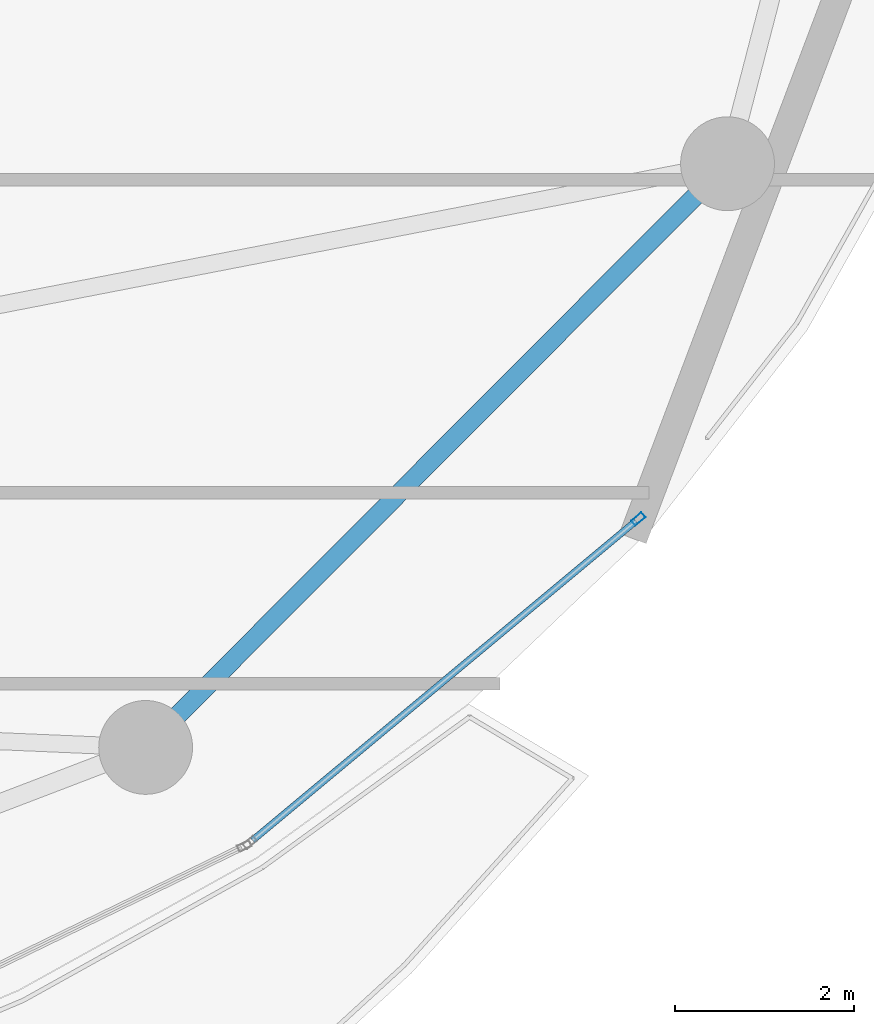
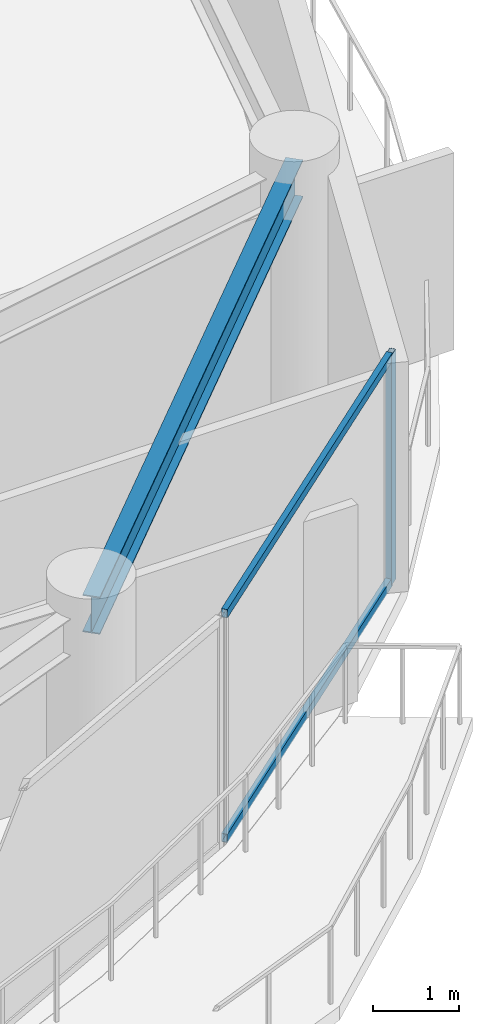
# One storey, part 14 of 31: 3 members, 1 beam, 1 element without a shape of its own.
"""IFC4 building model written with IfcOpenShell, lengths in metres."""

from ifc_helpers import new_model, si_unit, direction, frame, origin, origin_2d, place, context, subcontext, project, spatial, hollow_rectangle, i_section, extrude, material, layer, layer_set, material_profile, profile_set, type_object, element, aggregate, save


model = new_model("IFC4")

# Units and contexts
model_context = context("Model", 3, precision=1e-05, world=origin(), true_north=direction((0.0, 1.0)))
body_context = subcontext(model_context, "Body", "Model", "MODEL_VIEW")
ifc_project = project(units=[si_unit("LENGTHUNIT", "METRE"), si_unit("AREAUNIT", "SQUARE_METRE"), si_unit("VOLUMEUNIT", "CUBIC_METRE"), si_unit("PLANEANGLEUNIT", "RADIAN"), si_unit("MASSUNIT", "GRAM", prefix="KILO")], contexts=[model_context])

# Site, building, storey
site_placement = place(None, origin())
site = spatial("IfcSite", under=ifc_project, at=site_placement, CompositionType="ELEMENT")
building_placement = place(site_placement, origin())
building = spatial("IfcBuilding", under=site, at=building_placement, Name="Kazevale Care Tower and Concert Hall", CompositionType="ELEMENT")
storey_placement = place(building_placement, frame((0.0, 0.0, 187.199951171875)))
storey = spatial("IfcBuildingStorey", under=building, at=storey_placement, Name="L49", CompositionType="ELEMENT", Elevation=187.199951171875)

# Curtain wall, members
ifc_material_1 = material(Name="Aluminium 6063-T6 and Low-E Glass", Category="aluminium")
ifc_layer = layer(ifc_material_1, 0.179931640625)
ifc_layer_set = layer_set([ifc_layer], Name="Aluminium 6063-T6 and Low-E Glass")
curtain_wall_type = type_object("IfcCurtainWallType", Name="Sheltered Concave Balcony Curtain Wall CW-5", PredefinedType="NOTDEFINED", material=ifc_layer_set)
curtain_wall_placement = place(storey_placement, origin())
curtain_wall = element("IfcCurtainWall", 1, at=curtain_wall_placement, inside=storey, type_object=curtain_wall_type, Name="cw:L49:f02", PredefinedType="NOTDEFINED")
ifc_material_2 = material(Name="Aluminium 6063-T6", Category="aluminium")
ifc_material_profile_1 = material_profile(ifc_material_2, hollow_rectangle(XDim=0.074951171875, YDim=0.14990234375, WallThickness=0.00390625, at=origin_2d()), Name="ALU75x150x4")
ifc_profile_set_1 = profile_set([ifc_material_profile_1], Name="Aluminium 6063-T6")
member_type_1 = type_object("IfcMemberType", Name="CW-5 Mullion ALU75x150x4", PredefinedType="MULLION", material=ifc_profile_set_1)
member_1_placement = place(storey_placement, frame((71.76318359375, 25.2060546875, 0.0), z_axis=(0.0, 0.0, 1.0), x_axis=(0.639961217204, -0.768407210062, 0.0)))
member_1 = element("IfcMember", 2, at=member_1_placement, type_object=member_type_1, Name="CW-5 mullion 1", PredefinedType="MULLION", context=body_context, shape_type="SweptSolid", body=[
    extrude(hollow_rectangle(XDim=0.074951171875, YDim=0.14990234375, WallThickness=0.00390625, at=origin_2d()), origin(), (0.0, 0.0, 1.0), 3.280029296875),
])
ifc_material_profile_2 = material_profile(ifc_material_2, hollow_rectangle(XDim=0.074951171875, YDim=0.1201171875, WallThickness=0.00390625, at=origin_2d()), Name="ALU75x120x4")
ifc_profile_set_2 = profile_set([ifc_material_profile_2], Name="Aluminium 6063-T6")
member_type_2 = type_object("IfcMemberType", Name="CW-5 Transom ALU75x120x4", PredefinedType="USERDEFINED", material=ifc_profile_set_2)
member_2_placement = place(storey_placement, frame((71.734375, 25.181884765625, 0.03759765625), z_axis=(-0.768432829708, -0.639930454211, 0.0), x_axis=(0.639930454211, -0.768432829708, 0.0)))
member_2 = element("IfcMember", 3, at=member_2_placement, type_object=member_type_2, Name="CW-5 transom 1.1", ObjectType="TRANSOM", PredefinedType="USERDEFINED", context=body_context, shape_type="SweptSolid", body=[
    extrude(hollow_rectangle(XDim=0.074951171875, YDim=0.1201171875, WallThickness=0.00390625, at=origin_2d()), origin(), (0.0, 0.0, 1.0), 5.580078125),
])
member_3_placement = place(storey_placement, frame((71.734375, 25.181884765625, 3.242431640625), z_axis=(-0.768432829708, -0.639930454211, 0.0), x_axis=(0.639930454211, -0.768432829708, 0.0)))
member_3 = element("IfcMember", 4, at=member_3_placement, type_object=member_type_2, Name="CW-5 transom 1.2", ObjectType="TRANSOM", PredefinedType="USERDEFINED", context=body_context, shape_type="SweptSolid", body=[
    extrude(hollow_rectangle(XDim=0.074951171875, YDim=0.1201171875, WallThickness=0.00390625, at=origin_2d()), origin(), (0.0, 0.0, 1.0), 5.580078125),
])
aggregate(curtain_wall, [member_1, member_2, member_3])

# Beam
ifc_material_3 = material(Name="Steel ASTM A572 Gr 50", Category="steel")
ifc_material_profile_3 = material_profile(ifc_material_3, i_section(OverallWidth=0.208984375, OverallDepth=0.532958984375, WebThickness=0.01025390625, FlangeThickness=0.015625, at=origin_2d()), Name="W530x92")
ifc_profile_set_3 = profile_set([ifc_material_profile_3], Name="Steel ASTM A572 Gr 50")
beam_type = type_object("IfcBeamType", Name="Upper Ring Beam W530x92", PredefinedType="BEAM", material=ifc_profile_set_3)
beam_placement = place(storey_placement, frame((66.25, 22.64990234375, 3.013427734375), z_axis=(0.706020373708, 0.708191522054, 0.0), x_axis=(-0.708191522054, 0.706020373708, 0.0)))
element("IfcBeam", 5, at=beam_placement, inside=storey, type_object=beam_type, Name="beam:L49:ring:15", PredefinedType="BEAM", context=body_context, shape_type="SweptSolid", body=[
    extrude(i_section(OverallWidth=0.208984375, OverallDepth=0.532958984375, WebThickness=0.01025390625, FlangeThickness=0.015625, at=origin_2d()), origin(), (0.0, 0.0, 1.0), 9.220703125),
])

save(model, "model.ifc")
